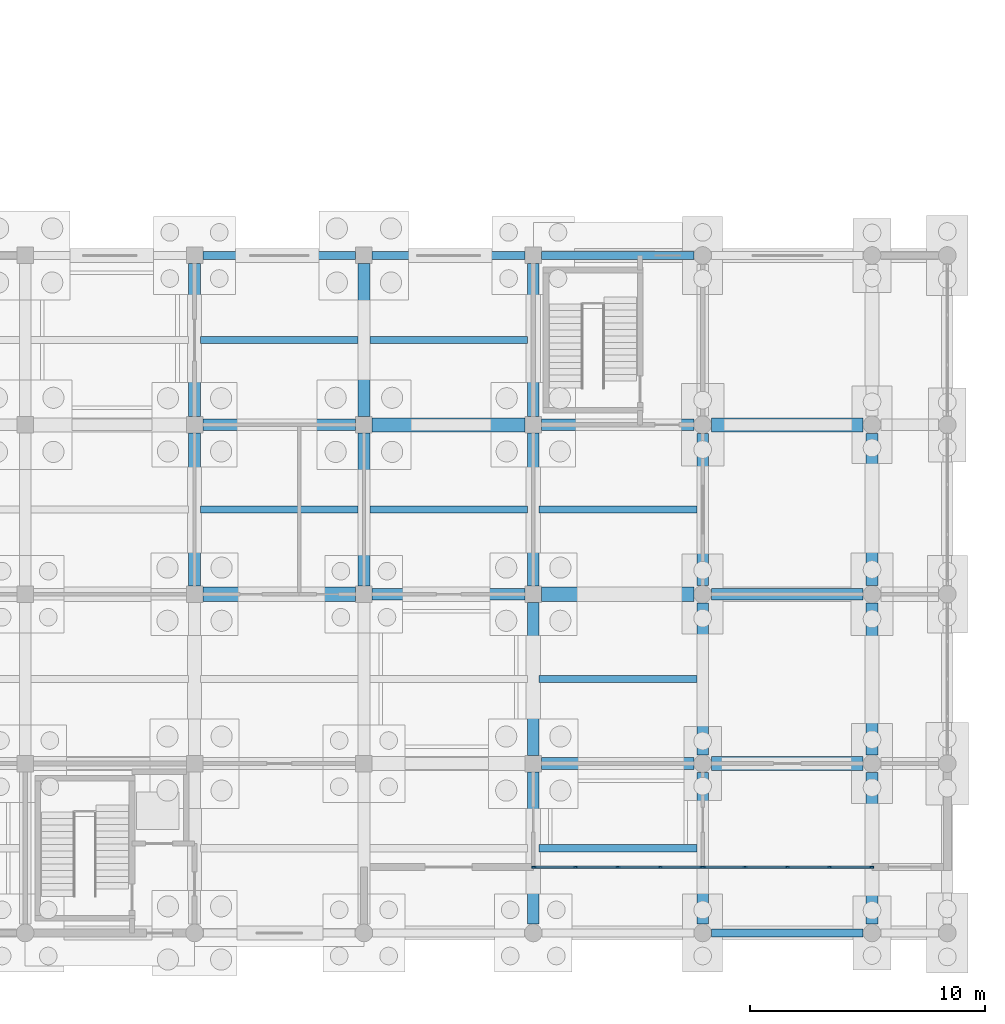
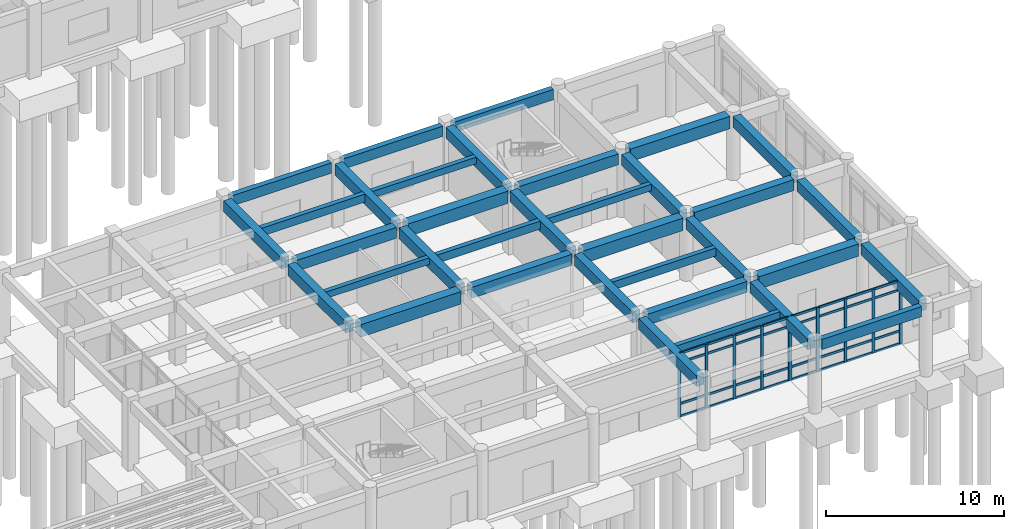
# One storey, part 35 of 79: 42 members, 35 beams, 2 elements without a shape of their own.
"""IFC4 building model written with IfcOpenShell, lengths in metres."""

from ifc_helpers import new_model, si_unit, direction, frame, origin, origin_2d, place, context, subcontext, project, spatial, rectangle, extrude, material, layer, layer_set, material_profile, profile_set, type_object, element, aggregate, save


model = new_model("IFC4")

# Units and contexts
model_context = context("Model", 3, precision=1e-05, world=origin(), true_north=direction((0.0, 1.0)))
body_context = subcontext(model_context, "Body", "Model", "MODEL_VIEW")
ifc_project = project(units=[si_unit("LENGTHUNIT", "METRE"), si_unit("AREAUNIT", "SQUARE_METRE"), si_unit("VOLUMEUNIT", "CUBIC_METRE"), si_unit("PLANEANGLEUNIT", "RADIAN"), si_unit("MASSUNIT", "GRAM", prefix="KILO")], contexts=[model_context])

# Site, building, storey
site_placement = place(None, origin())
site = spatial("IfcSite", under=ifc_project, at=site_placement, CompositionType="ELEMENT")
building_placement = place(site_placement, origin())
building = spatial("IfcBuilding", under=site, at=building_placement, Name="Kavelor Marine Aquarium", CompositionType="ELEMENT")
storey_placement = place(building_placement, origin())
storey = spatial("IfcBuildingStorey", under=building, at=storey_placement, Name="L00", CompositionType="ELEMENT", Elevation=0.0)

# Beams
ifc_material_1 = material(Name="Concrete C40/50", Category="concrete")
ifc_material_profile_1 = material_profile(ifc_material_1, rectangle(XDim=0.60009765625, YDim=0.85009765625, at=origin_2d()), Name="RC-BM 600x850")
ifc_profile_set_1 = profile_set([ifc_material_profile_1], Name="Concrete C40/50")
beam_type_1 = type_object("IfcBeamType", Name="BM-B1", PredefinedType="BEAM", material=ifc_profile_set_1)
for number, where, z_axis, x_axis, name in (
    (1, (133.14990234375, 17.199951171875, 3.955078125), (1.0, 0.0, 0.0), (0.0, 1.0, 0.0), "bm:x:L00:L01:18_02"),
    (2, (140.35009765625, 24.39990234375, 3.955078125), (1.0, 0.0, 0.0), (0.0, 1.0, 0.0), "bm:x:L00:L01:19_03"),
):
    element("IfcBeam", number, at=place(storey_placement, frame(where, z_axis=z_axis, x_axis=x_axis)), inside=storey, type_object=beam_type_1, Name=name, PredefinedType="BEAM", context=body_context, shape_type="SweptSolid", body=[
        extrude(rectangle(XDim=0.60009765625, YDim=0.85009765625, at=origin_2d()), origin(), (0.0, 0.0, 1.0), 6.5),
    ])
beam_1_placement = place(storey_placement, frame((147.550048828125, 17.199951171875, 3.955078125), z_axis=(1.0, 0.0, 0.0), x_axis=(0.0, 1.0, 0.0)))
element("IfcBeam", 3, at=beam_1_placement, inside=storey, type_object=beam_type_1, Name="bm:x:L00:L01:20_02", PredefinedType="BEAM", context=body_context, shape_type="SweptSolid", body=[
    extrude(rectangle(XDim=0.60009765625, YDim=0.85009765625, at=origin_2d()), origin(), (0.0, 0.0, 1.0), 6.474853515625),
])
for number, where, z_axis, x_axis, name in (
    (4, (154.77490234375, 10.0, 4.034912109375), (1.0, 0.0, 0.0), (0.0, 1.0, 0.0), "bm:x:L00:L01:21_01"),
    (5, (154.77490234375, 24.39990234375, 4.034912109375), (1.0, 0.0, 0.0), (0.0, 1.0, 0.0), "bm:x:L00:L01:21_03"),
):
    element("IfcBeam", number, at=place(storey_placement, frame(where, z_axis=z_axis, x_axis=x_axis)), inside=storey, type_object=beam_type_1, Name=name, PredefinedType="BEAM", context=body_context, shape_type="SweptSolid", body=[
        extrude(rectangle(XDim=0.60009765625, YDim=0.85009765625, at=origin_2d()), origin(), (0.0, 0.0, 1.0), 6.4501953125),
    ])
ifc_material_2 = material(Name="Concrete C40/50", Category="concrete")
ifc_material_profile_2 = material_profile(ifc_material_2, rectangle(XDim=0.5, YDim=0.75, at=origin_2d()), Name="RC-BM 500x750")
ifc_profile_set_2 = profile_set([ifc_material_profile_2], Name="Concrete C40/50")
beam_type_2 = type_object("IfcBeamType", Name="BM-B2", PredefinedType="BEAM", material=ifc_profile_set_2)
for number, where, z_axis, x_axis, name in (
    (6, (133.14990234375, 24.39990234375, 4.0048828125), (1.0, 0.0, 0.0), (0.0, 1.0, 0.0), "bm:x:L00:L01:18_03"),
    (7, (140.35009765625, 17.199951171875, 4.0048828125), (1.0, 0.0, 0.0), (0.0, 1.0, 0.0), "bm:x:L00:L01:19_02"),
):
    element("IfcBeam", number, at=place(storey_placement, frame(where, z_axis=z_axis, x_axis=x_axis)), inside=storey, type_object=beam_type_2, Name=name, PredefinedType="BEAM", context=body_context, shape_type="SweptSolid", body=[
        extrude(rectangle(XDim=0.5, YDim=0.75, at=origin_2d()), origin(), (0.0, 0.0, 1.0), 6.5),
    ])
for number, where, z_axis, x_axis, name in (
    (8, (147.550048828125, 10.0, 4.0048828125), (1.0, 0.0, 0.0), (0.0, 1.0, 0.0), "bm:x:L00:L01:20_01"),
    (9, (147.550048828125, 24.39990234375, 4.0048828125), (1.0, 0.0, 0.0), (0.0, 1.0, 0.0), "bm:x:L00:L01:20_03"),
):
    element("IfcBeam", number, at=place(storey_placement, frame(where, z_axis=z_axis, x_axis=x_axis)), inside=storey, type_object=beam_type_2, Name=name, PredefinedType="BEAM", context=body_context, shape_type="SweptSolid", body=[
        extrude(rectangle(XDim=0.5, YDim=0.75, at=origin_2d()), origin(), (0.0, 0.0, 1.0), 6.474853515625),
    ])
beam_2_placement = place(storey_placement, frame((154.77490234375, 17.199951171875, 4.0849609375), z_axis=(1.0, 0.0, 0.0), x_axis=(0.0, 1.0, 0.0)))
element("IfcBeam", 10, at=beam_2_placement, inside=storey, type_object=beam_type_2, Name="bm:x:L00:L01:21_02", PredefinedType="BEAM", context=body_context, shape_type="SweptSolid", body=[
    extrude(rectangle(XDim=0.5, YDim=0.75, at=origin_2d()), origin(), (0.0, 0.0, 1.0), 6.4501953125),
])
for number, where, z_axis, x_axis, name in (
    (11, (132.800048828125, 17.550048828125, 4.0048828125), (0.0, 1.0, 0.0), (-1.0, 0.0, 0.0), "bm:y:L00:L01:18_02"),
    (12, (132.800048828125, 24.75, 4.0048828125), (0.0, 1.0, 0.0), (-1.0, 0.0, 0.0), "bm:y:L00:L01:18_03"),
    (13, (140.0, 17.550048828125, 4.0048828125), (0.0, 1.0, 0.0), (-1.0, 0.0, 0.0), "bm:y:L00:L01:19_02"),
    (14, (140.0, 24.75, 4.0048828125), (0.0, 1.0, 0.0), (-1.0, 0.0, 0.0), "bm:y:L00:L01:19_03"),
):
    element("IfcBeam", number, at=place(storey_placement, frame(where, z_axis=z_axis, x_axis=x_axis)), inside=storey, type_object=beam_type_2, Name=name, PredefinedType="BEAM", context=body_context, shape_type="SweptSolid", body=[
        extrude(rectangle(XDim=0.5, YDim=0.75, at=origin_2d()), origin(), (0.0, 0.0, 1.0), 6.5),
    ])
beam_3_placement = place(storey_placement, frame((147.199951171875, 3.175048828125, 4.0048828125), z_axis=(0.0, 1.0, 0.0), x_axis=(-1.0, 0.0, 0.0)))
element("IfcBeam", 15, at=beam_3_placement, inside=storey, type_object=beam_type_2, Name="bm:y:L00:L01:20_00", PredefinedType="BEAM", context=body_context, shape_type="SweptSolid", body=[
    extrude(rectangle(XDim=0.5, YDim=0.75, at=origin_2d()), origin(), (0.0, 0.0, 1.0), 6.474853515625),
])
for number, where, z_axis, x_axis, name in (
    (16, (147.199951171875, 10.35009765625, 4.0048828125), (0.0, 1.0, 0.0), (-1.0, 0.0, 0.0), "bm:y:L00:L01:20_01"),
    (17, (147.199951171875, 17.550048828125, 4.0048828125), (0.0, 1.0, 0.0), (-1.0, 0.0, 0.0), "bm:y:L00:L01:20_02"),
    (18, (147.199951171875, 24.75, 4.0048828125), (0.0, 1.0, 0.0), (-1.0, 0.0, 0.0), "bm:y:L00:L01:20_03"),
):
    element("IfcBeam", number, at=place(storey_placement, frame(where, z_axis=z_axis, x_axis=x_axis)), inside=storey, type_object=beam_type_2, Name=name, PredefinedType="BEAM", context=body_context, shape_type="SweptSolid", body=[
        extrude(rectangle(XDim=0.5, YDim=0.75, at=origin_2d()), origin(), (0.0, 0.0, 1.0), 6.5),
    ])
for number, where, z_axis, x_axis, name in (
    (19, (154.39990234375, 3.175048828125, 4.0048828125), (0.0, 1.0, 0.0), (-1.0, 0.0, 0.0), "bm:y:L00:L01:21_00"),
    (20, (154.39990234375, 10.375, 4.0048828125), (0.0, 1.0, 0.0), (-1.0, 0.0, 0.0), "bm:y:L00:L01:21_01"),
    (21, (154.39990234375, 17.574951171875, 4.0048828125), (0.0, 1.0, 0.0), (-1.0, 0.0, 0.0), "bm:y:L00:L01:21_02"),
    (22, (161.60009765625, 3.175048828125, 4.0849609375), (0.0, 1.0, 0.0), (-1.0, 0.0, 0.0), "bm:y:L00:L01:22_00"),
    (23, (161.60009765625, 10.375, 4.0849609375), (0.0, 1.0, 0.0), (-1.0, 0.0, 0.0), "bm:y:L00:L01:22_01"),
    (24, (161.60009765625, 17.574951171875, 4.0849609375), (0.0, 1.0, 0.0), (-1.0, 0.0, 0.0), "bm:y:L00:L01:22_02"),
):
    element("IfcBeam", number, at=place(storey_placement, frame(where, z_axis=z_axis, x_axis=x_axis)), inside=storey, type_object=beam_type_2, Name=name, PredefinedType="BEAM", context=body_context, shape_type="SweptSolid", body=[
        extrude(rectangle(XDim=0.5, YDim=0.75, at=origin_2d()), origin(), (0.0, 0.0, 1.0), 6.449951171875),
    ])
ifc_material_3 = material(Name="Concrete C40/50", Category="concrete")
ifc_material_profile_3 = material_profile(ifc_material_3, rectangle(XDim=0.300048828125, YDim=0.449951171875, at=origin_2d()), Name="RC-JS 300x450")
ifc_profile_set_3 = profile_set([ifc_material_profile_3], Name="Concrete C40/50")
beam_type_3 = type_object("IfcBeamType", Name="BM-JS1", PredefinedType="JOIST", material=ifc_profile_set_3)
for number, where, z_axis, x_axis, name in (
    (25, (133.050048828125, 20.800048828125, 4.155029296875), (1.0, 0.0, 0.0), (0.0, 1.0, 0.0), "js:L00:L01:18_02"),
    (26, (140.25, 28.0, 4.155029296875), (1.0, 0.0, 0.0), (0.0, 1.0, 0.0), "js:L00:L01:19_03"),
    (27, (147.449951171875, 6.39990234375, 4.155029296875), (1.0, 0.0, 0.0), (0.0, 1.0, 0.0), "js:L00:L01:20_00"),
    (28, (147.449951171875, 20.800048828125, 4.155029296875), (1.0, 0.0, 0.0), (0.0, 1.0, 0.0), "js:L00:L01:20_02"),
):
    element("IfcBeam", number, at=place(storey_placement, frame(where, z_axis=z_axis, x_axis=x_axis)), inside=storey, type_object=beam_type_3, Name=name, PredefinedType="JOIST", context=body_context, shape_type="SweptSolid", body=[
        extrude(rectangle(XDim=0.300048828125, YDim=0.449951171875, at=origin_2d()), origin(), (0.0, 0.0, 1.0), 6.699951171875),
    ])
ifc_material_4 = material(Name="Concrete C40/50", Category="concrete")
ifc_material_profile_4 = material_profile(ifc_material_4, rectangle(XDim=0.300048828125, YDim=0.550048828125, at=origin_2d()), Name="RC-JS 300x550")
ifc_profile_set_4 = profile_set([ifc_material_profile_4], Name="Concrete C40/50")
beam_type_4 = type_object("IfcBeamType", Name="BM-JS2", PredefinedType="JOIST", material=ifc_profile_set_4)
for number, where, z_axis, x_axis, name in (
    (29, (133.050048828125, 28.0, 4.10498046875), (1.0, 0.0, 0.0), (0.0, 1.0, 0.0), "js:L00:L01:18_03"),
    (30, (140.25, 20.800048828125, 4.10498046875), (1.0, 0.0, 0.0), (0.0, 1.0, 0.0), "js:L00:L01:19_02"),
    (31, (147.449951171875, 13.60009765625, 4.10498046875), (1.0, 0.0, 0.0), (0.0, 1.0, 0.0), "js:L00:L01:20_01"),
):
    element("IfcBeam", number, at=place(storey_placement, frame(where, z_axis=z_axis, x_axis=x_axis)), inside=storey, type_object=beam_type_4, Name=name, PredefinedType="JOIST", context=body_context, shape_type="SweptSolid", body=[
        extrude(rectangle(XDim=0.300048828125, YDim=0.550048828125, at=origin_2d()), origin(), (0.0, 0.0, 1.0), 6.699951171875),
    ])
ifc_material_5 = material(Name="Concrete C40/50", Category="concrete")
ifc_material_profile_5 = material_profile(ifc_material_5, rectangle(XDim=0.35009765625, YDim=0.699951171875, at=origin_2d()), Name="RC-SP 350x700")
ifc_profile_set_5 = profile_set([ifc_material_profile_5], Name="Concrete C40/50")
beam_type_5 = type_object("IfcBeamType", Name="BM-SP1", PredefinedType="SPANDREL", material=ifc_profile_set_5)
for number, where, z_axis, x_axis, name in (
    (32, (133.14990234375, 31.60009765625, 4.030029296875), (1.0, 0.0, 0.0), (0.0, 1.0, 0.0), "bm:x:L00:L01:18_04"),
    (33, (140.35009765625, 31.60009765625, 4.030029296875), (1.0, 0.0, 0.0), (0.0, 1.0, 0.0), "bm:x:L00:L01:19_04"),
):
    element("IfcBeam", number, at=place(storey_placement, frame(where, z_axis=z_axis, x_axis=x_axis)), inside=storey, type_object=beam_type_5, Name=name, PredefinedType="SPANDREL", context=body_context, shape_type="SweptSolid", body=[
        extrude(rectangle(XDim=0.35009765625, YDim=0.699951171875, at=origin_2d()), origin(), (0.0, 0.0, 1.0), 6.5),
    ])
beam_4_placement = place(storey_placement, frame((147.550048828125, 31.60009765625, 4.030029296875), z_axis=(1.0, 0.0, 0.0), x_axis=(0.0, 1.0, 0.0)))
element("IfcBeam", 34, at=beam_4_placement, inside=storey, type_object=beam_type_5, Name="bm:x:L00:L01:20_04", PredefinedType="SPANDREL", context=body_context, shape_type="SweptSolid", body=[
    extrude(rectangle(XDim=0.35009765625, YDim=0.699951171875, at=origin_2d()), origin(), (0.0, 0.0, 1.0), 6.474853515625),
])
beam_5_placement = place(storey_placement, frame((154.77490234375, 2.800048828125, 4.110107421875), z_axis=(1.0, 0.0, 0.0), x_axis=(0.0, 1.0, 0.0)))
element("IfcBeam", 35, at=beam_5_placement, inside=storey, type_object=beam_type_5, Name="bm:x:L00:L01:21_00", PredefinedType="SPANDREL", context=body_context, shape_type="SweptSolid", body=[
    extrude(rectangle(XDim=0.35009765625, YDim=0.699951171875, at=origin_2d()), origin(), (0.0, 0.0, 1.0), 6.4501953125),
])

# Curtain wall, members
ifc_material_6 = material(Name="Thermally Broken Aluminium and Low-E Glass", Category="aluminium")
ifc_layer_1 = layer(ifc_material_6, 0.251953125)
ifc_layer_set_1 = layer_set([ifc_layer_1], Name="CW-SYS14")
curtain_wall_type_1 = type_object("IfcCurtainWallType", Name="CW-SYS14", PredefinedType="USERDEFINED", material=ifc_layer_set_1)
curtain_wall_1_placement = place(storey_placement, origin())
curtain_wall_1 = element("IfcCurtainWall", 36, at=curtain_wall_1_placement, inside=storey, type_object=curtain_wall_type_1, Name="cw:arc:v3s:20", ObjectType="Curtain Wall", PredefinedType="USERDEFINED")
ifc_material_7 = material(Name="Anodised Aluminium Alloy 6063-T6", Category="aluminium")
ifc_material_profile_6 = material_profile(ifc_material_7, rectangle(XDim=0.080078125, YDim=0.18505859375, at=origin_2d()), Name="CW-MUL 80x185")
ifc_profile_set_6 = profile_set([ifc_material_profile_6], Name="Anodised Aluminium Alloy 6063-T6")
member_type_1 = type_object("IfcMemberType", Name="CWM-2", PredefinedType="MULLION", material=ifc_profile_set_6)
member_1_placement = place(storey_placement, frame((154.367431640625, 5.60009765625, 0.0), z_axis=(0.0, 0.0, 1.0), x_axis=(0.0, -1.0, 0.0)))
member_1 = element("IfcMember", 37, at=member_1_placement, type_object=member_type_1, Name="CW14 mullion 1", PredefinedType="MULLION", context=body_context, shape_type="SweptSolid", body=[
    extrude(rectangle(XDim=0.080078125, YDim=0.18505859375, at=origin_2d()), origin(), (0.0, 0.0, 1.0), 4.3701171875),
])
member_2_placement = place(storey_placement, frame((152.60009765625, 5.60009765625, 0.0), z_axis=(0.0, 0.0, 1.0), x_axis=(0.0, -1.0, 0.0)))
member_2 = element("IfcMember", 38, at=member_2_placement, type_object=member_type_1, Name="CW14 mullion 2", PredefinedType="MULLION", context=body_context, shape_type="SweptSolid", body=[
    extrude(rectangle(XDim=0.080078125, YDim=0.18505859375, at=origin_2d()), origin(), (0.0, 0.0, 1.0), 4.3701171875),
])
member_3_placement = place(storey_placement, frame((150.800048828125, 5.60009765625, 0.0), z_axis=(0.0, 0.0, 1.0), x_axis=(0.0, -1.0, 0.0)))
member_3 = element("IfcMember", 39, at=member_3_placement, type_object=member_type_1, Name="CW14 mullion 3", PredefinedType="MULLION", context=body_context, shape_type="SweptSolid", body=[
    extrude(rectangle(XDim=0.080078125, YDim=0.18505859375, at=origin_2d()), origin(), (0.0, 0.0, 1.0), 4.3701171875),
])
member_4_placement = place(storey_placement, frame((149.0, 5.60009765625, 0.0), z_axis=(0.0, 0.0, 1.0), x_axis=(0.0, -1.0, 0.0)))
member_4 = element("IfcMember", 40, at=member_4_placement, type_object=member_type_1, Name="CW14 mullion 4", PredefinedType="MULLION", context=body_context, shape_type="SweptSolid", body=[
    extrude(rectangle(XDim=0.080078125, YDim=0.18505859375, at=origin_2d()), origin(), (0.0, 0.0, 1.0), 4.3701171875),
])
member_5_placement = place(storey_placement, frame((147.232421875, 5.60009765625, 0.0), z_axis=(0.0, 0.0, 1.0), x_axis=(0.0, -1.0, 0.0)))
member_5 = element("IfcMember", 41, at=member_5_placement, type_object=member_type_1, Name="CW14 mullion 5", PredefinedType="MULLION", context=body_context, shape_type="SweptSolid", body=[
    extrude(rectangle(XDim=0.080078125, YDim=0.18505859375, at=origin_2d()), origin(), (0.0, 0.0, 1.0), 4.3701171875),
])

ifc_material_8 = material(Name="Thermally Broken Aluminium and Low-E Glass", Category="aluminium")
ifc_layer_2 = layer(ifc_material_8, 0.260009765625)
ifc_layer_set_2 = layer_set([ifc_layer_2], Name="CW-SYS15")
curtain_wall_type_2 = type_object("IfcCurtainWallType", Name="CW-SYS15", PredefinedType="USERDEFINED", material=ifc_layer_set_2)
curtain_wall_2_placement = place(storey_placement, origin())
curtain_wall_2 = element("IfcCurtainWall", 42, at=curtain_wall_2_placement, inside=storey, type_object=curtain_wall_type_2, Name="cw:arc:v3s:21", ObjectType="Curtain Wall", PredefinedType="USERDEFINED")
ifc_material_9 = material(Name="Anodised Aluminium Alloy 6063-T6", Category="aluminium")
ifc_material_profile_7 = material_profile(ifc_material_9, rectangle(XDim=0.0849609375, YDim=0.18994140625, at=origin_2d()), Name="CW-MUL 85x190")
ifc_profile_set_7 = profile_set([ifc_material_profile_7], Name="Anodised Aluminium Alloy 6063-T6")
member_type_2 = type_object("IfcMemberType", Name="CWM-3", PredefinedType="MULLION", material=ifc_profile_set_7)
member_6_placement = place(storey_placement, frame((161.570068359375, 5.60009765625, 0.0), z_axis=(0.0, 0.0, 1.0), x_axis=(0.0, -1.0, 0.0)))
member_6 = element("IfcMember", 43, at=member_6_placement, type_object=member_type_2, Name="CW15 mullion 1", PredefinedType="MULLION", context=body_context, shape_type="SweptSolid", body=[
    extrude(rectangle(XDim=0.0849609375, YDim=0.18994140625, at=origin_2d()), origin(), (0.0, 0.0, 1.0), 4.3701171875),
])
member_7_placement = place(storey_placement, frame((159.800048828125, 5.60009765625, 0.0), z_axis=(0.0, 0.0, 1.0), x_axis=(0.0, -1.0, 0.0)))
member_7 = element("IfcMember", 44, at=member_7_placement, type_object=member_type_2, Name="CW15 mullion 2", PredefinedType="MULLION", context=body_context, shape_type="SweptSolid", body=[
    extrude(rectangle(XDim=0.0849609375, YDim=0.18994140625, at=origin_2d()), origin(), (0.0, 0.0, 1.0), 4.3701171875),
])
member_8_placement = place(storey_placement, frame((158.0, 5.60009765625, 0.0), z_axis=(0.0, 0.0, 1.0), x_axis=(0.0, -1.0, 0.0)))
member_8 = element("IfcMember", 45, at=member_8_placement, type_object=member_type_2, Name="CW15 mullion 3", PredefinedType="MULLION", context=body_context, shape_type="SweptSolid", body=[
    extrude(rectangle(XDim=0.0849609375, YDim=0.18994140625, at=origin_2d()), origin(), (0.0, 0.0, 1.0), 4.3701171875),
])
member_9_placement = place(storey_placement, frame((156.199951171875, 5.60009765625, 0.0), z_axis=(0.0, 0.0, 1.0), x_axis=(0.0, -1.0, 0.0)))
member_9 = element("IfcMember", 46, at=member_9_placement, type_object=member_type_2, Name="CW15 mullion 4", PredefinedType="MULLION", context=body_context, shape_type="SweptSolid", body=[
    extrude(rectangle(XDim=0.0849609375, YDim=0.18994140625, at=origin_2d()), origin(), (0.0, 0.0, 1.0), 4.3701171875),
])
member_10_placement = place(storey_placement, frame((154.429931640625, 5.60009765625, 0.0), z_axis=(0.0, 0.0, 1.0), x_axis=(0.0, -1.0, 0.0)))
member_10 = element("IfcMember", 47, at=member_10_placement, type_object=member_type_2, Name="CW15 mullion 5", PredefinedType="MULLION", context=body_context, shape_type="SweptSolid", body=[
    extrude(rectangle(XDim=0.0849609375, YDim=0.18994140625, at=origin_2d()), origin(), (0.0, 0.0, 1.0), 4.3701171875),
])

# Member
ifc_material_10 = material(Name="Anodised Aluminium Alloy 6063-T6", Category="aluminium")
ifc_material_profile_8 = material_profile(ifc_material_10, rectangle(XDim=0.080078125, YDim=0.155029296875, at=origin_2d()), Name="CW-TRN 80x155")
ifc_profile_set_8 = profile_set([ifc_material_profile_8], Name="Anodised Aluminium Alloy 6063-T6")
member_type_3 = type_object("IfcMemberType", Name="CWT-2", PredefinedType="USERDEFINED", material=ifc_profile_set_8)
member_11_placement = place(storey_placement, frame((154.3349609375, 5.60009765625, 0.032470703125), z_axis=(-1.0, 0.0, 0.0), x_axis=(0.0, -1.0, 0.0)))
member_11 = element("IfcMember", 48, at=member_11_placement, type_object=member_type_3, Name="CW14 transom 1.1", ObjectType="TRANSOM", PredefinedType="USERDEFINED", context=body_context, shape_type="SweptSolid", body=[
    extrude(rectangle(XDim=0.080078125, YDim=0.155029296875, at=origin_2d()), origin(), (0.0, 0.0, 1.0), 1.702392578125),
])

member_12_placement = place(storey_placement, frame((154.3349609375, 5.60009765625, 0.89990234375), z_axis=(-1.0, 0.0, 0.0), x_axis=(0.0, -1.0, 0.0)))
member_12 = element("IfcMember", 49, at=member_12_placement, type_object=member_type_3, Name="CW14 transom 1.2", ObjectType="TRANSOM", PredefinedType="USERDEFINED", context=body_context, shape_type="SweptSolid", body=[
    extrude(rectangle(XDim=0.080078125, YDim=0.155029296875, at=origin_2d()), origin(), (0.0, 0.0, 1.0), 1.702392578125),
])

member_13_placement = place(storey_placement, frame((154.3349609375, 5.60009765625, 3.719970703125), z_axis=(-1.0, 0.0, 0.0), x_axis=(0.0, -1.0, 0.0)))
member_13 = element("IfcMember", 50, at=member_13_placement, type_object=member_type_3, Name="CW14 transom 1.3", ObjectType="TRANSOM", PredefinedType="USERDEFINED", context=body_context, shape_type="SweptSolid", body=[
    extrude(rectangle(XDim=0.080078125, YDim=0.155029296875, at=origin_2d()), origin(), (0.0, 0.0, 1.0), 1.702392578125),
])

member_14_placement = place(storey_placement, frame((154.3349609375, 5.60009765625, 4.33740234375), z_axis=(-1.0, 0.0, 0.0), x_axis=(0.0, -1.0, 0.0)))
member_14 = element("IfcMember", 51, at=member_14_placement, type_object=member_type_3, Name="CW14 transom 1.4", ObjectType="TRANSOM", PredefinedType="USERDEFINED", context=body_context, shape_type="SweptSolid", body=[
    extrude(rectangle(XDim=0.080078125, YDim=0.155029296875, at=origin_2d()), origin(), (0.0, 0.0, 1.0), 1.702392578125),
])

member_15_placement = place(storey_placement, frame((152.5673828125, 5.60009765625, 0.032470703125), z_axis=(-1.0, 0.0, 0.0), x_axis=(0.0, -1.0, 0.0)))
member_15 = element("IfcMember", 52, at=member_15_placement, type_object=member_type_3, Name="CW14 transom 2.1", ObjectType="TRANSOM", PredefinedType="USERDEFINED", context=body_context, shape_type="SweptSolid", body=[
    extrude(rectangle(XDim=0.080078125, YDim=0.155029296875, at=origin_2d()), origin(), (0.0, 0.0, 1.0), 1.73486328125),
])

member_16_placement = place(storey_placement, frame((152.5673828125, 5.60009765625, 0.89990234375), z_axis=(-1.0, 0.0, 0.0), x_axis=(0.0, -1.0, 0.0)))
member_16 = element("IfcMember", 53, at=member_16_placement, type_object=member_type_3, Name="CW14 transom 2.2", ObjectType="TRANSOM", PredefinedType="USERDEFINED", context=body_context, shape_type="SweptSolid", body=[
    extrude(rectangle(XDim=0.080078125, YDim=0.155029296875, at=origin_2d()), origin(), (0.0, 0.0, 1.0), 1.73486328125),
])

member_17_placement = place(storey_placement, frame((152.5673828125, 5.60009765625, 3.719970703125), z_axis=(-1.0, 0.0, 0.0), x_axis=(0.0, -1.0, 0.0)))
member_17 = element("IfcMember", 54, at=member_17_placement, type_object=member_type_3, Name="CW14 transom 2.3", ObjectType="TRANSOM", PredefinedType="USERDEFINED", context=body_context, shape_type="SweptSolid", body=[
    extrude(rectangle(XDim=0.080078125, YDim=0.155029296875, at=origin_2d()), origin(), (0.0, 0.0, 1.0), 1.73486328125),
])

member_18_placement = place(storey_placement, frame((152.5673828125, 5.60009765625, 4.33740234375), z_axis=(-1.0, 0.0, 0.0), x_axis=(0.0, -1.0, 0.0)))
member_18 = element("IfcMember", 55, at=member_18_placement, type_object=member_type_3, Name="CW14 transom 2.4", ObjectType="TRANSOM", PredefinedType="USERDEFINED", context=body_context, shape_type="SweptSolid", body=[
    extrude(rectangle(XDim=0.080078125, YDim=0.155029296875, at=origin_2d()), origin(), (0.0, 0.0, 1.0), 1.73486328125),
])

member_19_placement = place(storey_placement, frame((150.767578125, 5.60009765625, 0.032470703125), z_axis=(-1.0, 0.0, 0.0), x_axis=(0.0, -1.0, 0.0)))
member_19 = element("IfcMember", 56, at=member_19_placement, type_object=member_type_3, Name="CW14 transom 3.1", ObjectType="TRANSOM", PredefinedType="USERDEFINED", context=body_context, shape_type="SweptSolid", body=[
    extrude(rectangle(XDim=0.080078125, YDim=0.155029296875, at=origin_2d()), origin(), (0.0, 0.0, 1.0), 1.735107421875),
])

member_20_placement = place(storey_placement, frame((150.767578125, 5.60009765625, 0.89990234375), z_axis=(-1.0, 0.0, 0.0), x_axis=(0.0, -1.0, 0.0)))
member_20 = element("IfcMember", 57, at=member_20_placement, type_object=member_type_3, Name="CW14 transom 3.2", ObjectType="TRANSOM", PredefinedType="USERDEFINED", context=body_context, shape_type="SweptSolid", body=[
    extrude(rectangle(XDim=0.080078125, YDim=0.155029296875, at=origin_2d()), origin(), (0.0, 0.0, 1.0), 1.735107421875),
])

member_21_placement = place(storey_placement, frame((150.767578125, 5.60009765625, 3.719970703125), z_axis=(-1.0, 0.0, 0.0), x_axis=(0.0, -1.0, 0.0)))
member_21 = element("IfcMember", 58, at=member_21_placement, type_object=member_type_3, Name="CW14 transom 3.3", ObjectType="TRANSOM", PredefinedType="USERDEFINED", context=body_context, shape_type="SweptSolid", body=[
    extrude(rectangle(XDim=0.080078125, YDim=0.155029296875, at=origin_2d()), origin(), (0.0, 0.0, 1.0), 1.735107421875),
])

member_22_placement = place(storey_placement, frame((150.767578125, 5.60009765625, 4.33740234375), z_axis=(-1.0, 0.0, 0.0), x_axis=(0.0, -1.0, 0.0)))
member_22 = element("IfcMember", 59, at=member_22_placement, type_object=member_type_3, Name="CW14 transom 3.4", ObjectType="TRANSOM", PredefinedType="USERDEFINED", context=body_context, shape_type="SweptSolid", body=[
    extrude(rectangle(XDim=0.080078125, YDim=0.155029296875, at=origin_2d()), origin(), (0.0, 0.0, 1.0), 1.735107421875),
])

member_23_placement = place(storey_placement, frame((148.967529296875, 5.60009765625, 0.032470703125), z_axis=(-1.0, 0.0, 0.0), x_axis=(0.0, -1.0, 0.0)))
member_23 = element("IfcMember", 60, at=member_23_placement, type_object=member_type_3, Name="CW14 transom 4.1", ObjectType="TRANSOM", PredefinedType="USERDEFINED", context=body_context, shape_type="SweptSolid", body=[
    extrude(rectangle(XDim=0.080078125, YDim=0.155029296875, at=origin_2d()), origin(), (0.0, 0.0, 1.0), 1.70263671875),
])

member_24_placement = place(storey_placement, frame((148.967529296875, 5.60009765625, 0.89990234375), z_axis=(-1.0, 0.0, 0.0), x_axis=(0.0, -1.0, 0.0)))
member_24 = element("IfcMember", 61, at=member_24_placement, type_object=member_type_3, Name="CW14 transom 4.2", ObjectType="TRANSOM", PredefinedType="USERDEFINED", context=body_context, shape_type="SweptSolid", body=[
    extrude(rectangle(XDim=0.080078125, YDim=0.155029296875, at=origin_2d()), origin(), (0.0, 0.0, 1.0), 1.70263671875),
])

member_25_placement = place(storey_placement, frame((148.967529296875, 5.60009765625, 3.719970703125), z_axis=(-1.0, 0.0, 0.0), x_axis=(0.0, -1.0, 0.0)))
member_25 = element("IfcMember", 62, at=member_25_placement, type_object=member_type_3, Name="CW14 transom 4.3", ObjectType="TRANSOM", PredefinedType="USERDEFINED", context=body_context, shape_type="SweptSolid", body=[
    extrude(rectangle(XDim=0.080078125, YDim=0.155029296875, at=origin_2d()), origin(), (0.0, 0.0, 1.0), 1.70263671875),
])

member_26_placement = place(storey_placement, frame((148.967529296875, 5.60009765625, 4.33740234375), z_axis=(-1.0, 0.0, 0.0), x_axis=(0.0, -1.0, 0.0)))
member_26 = element("IfcMember", 63, at=member_26_placement, type_object=member_type_3, Name="CW14 transom 4.4", ObjectType="TRANSOM", PredefinedType="USERDEFINED", context=body_context, shape_type="SweptSolid", body=[
    extrude(rectangle(XDim=0.080078125, YDim=0.155029296875, at=origin_2d()), origin(), (0.0, 0.0, 1.0), 1.70263671875),
])

aggregate(curtain_wall_1, [member_1, member_2, member_3, member_4, member_5, member_11, member_12, member_13, member_14, member_15, member_16, member_17, member_18, member_19, member_20, member_21, member_22, member_23, member_24, member_25, member_26])

member_27_placement = place(storey_placement, frame((161.5400390625, 5.60009765625, 0.032470703125), z_axis=(-1.0, 0.0, 0.0), x_axis=(0.0, -1.0, 0.0)))
member_27 = element("IfcMember", 64, at=member_27_placement, type_object=member_type_3, Name="CW15 transom 1.1", ObjectType="TRANSOM", PredefinedType="USERDEFINED", context=body_context, shape_type="SweptSolid", body=[
    extrude(rectangle(XDim=0.080078125, YDim=0.155029296875, at=origin_2d()), origin(), (0.0, 0.0, 1.0), 1.7099609375),
])

member_28_placement = place(storey_placement, frame((161.5400390625, 5.60009765625, 0.89990234375), z_axis=(-1.0, 0.0, 0.0), x_axis=(0.0, -1.0, 0.0)))
member_28 = element("IfcMember", 65, at=member_28_placement, type_object=member_type_3, Name="CW15 transom 1.2", ObjectType="TRANSOM", PredefinedType="USERDEFINED", context=body_context, shape_type="SweptSolid", body=[
    extrude(rectangle(XDim=0.080078125, YDim=0.155029296875, at=origin_2d()), origin(), (0.0, 0.0, 1.0), 1.7099609375),
])

member_29_placement = place(storey_placement, frame((161.5400390625, 5.60009765625, 3.719970703125), z_axis=(-1.0, 0.0, 0.0), x_axis=(0.0, -1.0, 0.0)))
member_29 = element("IfcMember", 66, at=member_29_placement, type_object=member_type_3, Name="CW15 transom 1.3", ObjectType="TRANSOM", PredefinedType="USERDEFINED", context=body_context, shape_type="SweptSolid", body=[
    extrude(rectangle(XDim=0.080078125, YDim=0.155029296875, at=origin_2d()), origin(), (0.0, 0.0, 1.0), 1.7099609375),
])

member_30_placement = place(storey_placement, frame((161.5400390625, 5.60009765625, 4.33740234375), z_axis=(-1.0, 0.0, 0.0), x_axis=(0.0, -1.0, 0.0)))
member_30 = element("IfcMember", 67, at=member_30_placement, type_object=member_type_3, Name="CW15 transom 1.4", ObjectType="TRANSOM", PredefinedType="USERDEFINED", context=body_context, shape_type="SweptSolid", body=[
    extrude(rectangle(XDim=0.080078125, YDim=0.155029296875, at=origin_2d()), origin(), (0.0, 0.0, 1.0), 1.7099609375),
])

member_31_placement = place(storey_placement, frame((159.77001953125, 5.60009765625, 0.032470703125), z_axis=(-1.0, 0.0, 0.0), x_axis=(0.0, -1.0, 0.0)))
member_31 = element("IfcMember", 68, at=member_31_placement, type_object=member_type_3, Name="CW15 transom 2.1", ObjectType="TRANSOM", PredefinedType="USERDEFINED", context=body_context, shape_type="SweptSolid", body=[
    extrude(rectangle(XDim=0.080078125, YDim=0.155029296875, at=origin_2d()), origin(), (0.0, 0.0, 1.0), 1.739990234375),
])

member_32_placement = place(storey_placement, frame((159.77001953125, 5.60009765625, 0.89990234375), z_axis=(-1.0, 0.0, 0.0), x_axis=(0.0, -1.0, 0.0)))
member_32 = element("IfcMember", 69, at=member_32_placement, type_object=member_type_3, Name="CW15 transom 2.2", ObjectType="TRANSOM", PredefinedType="USERDEFINED", context=body_context, shape_type="SweptSolid", body=[
    extrude(rectangle(XDim=0.080078125, YDim=0.155029296875, at=origin_2d()), origin(), (0.0, 0.0, 1.0), 1.739990234375),
])

member_33_placement = place(storey_placement, frame((159.77001953125, 5.60009765625, 3.719970703125), z_axis=(-1.0, 0.0, 0.0), x_axis=(0.0, -1.0, 0.0)))
member_33 = element("IfcMember", 70, at=member_33_placement, type_object=member_type_3, Name="CW15 transom 2.3", ObjectType="TRANSOM", PredefinedType="USERDEFINED", context=body_context, shape_type="SweptSolid", body=[
    extrude(rectangle(XDim=0.080078125, YDim=0.155029296875, at=origin_2d()), origin(), (0.0, 0.0, 1.0), 1.739990234375),
])

member_34_placement = place(storey_placement, frame((159.77001953125, 5.60009765625, 4.33740234375), z_axis=(-1.0, 0.0, 0.0), x_axis=(0.0, -1.0, 0.0)))
member_34 = element("IfcMember", 71, at=member_34_placement, type_object=member_type_3, Name="CW15 transom 2.4", ObjectType="TRANSOM", PredefinedType="USERDEFINED", context=body_context, shape_type="SweptSolid", body=[
    extrude(rectangle(XDim=0.080078125, YDim=0.155029296875, at=origin_2d()), origin(), (0.0, 0.0, 1.0), 1.739990234375),
])

member_35_placement = place(storey_placement, frame((157.969970703125, 5.60009765625, 0.032470703125), z_axis=(-1.0, 0.0, 0.0), x_axis=(0.0, -1.0, 0.0)))
member_35 = element("IfcMember", 72, at=member_35_placement, type_object=member_type_3, Name="CW15 transom 3.1", ObjectType="TRANSOM", PredefinedType="USERDEFINED", context=body_context, shape_type="SweptSolid", body=[
    extrude(rectangle(XDim=0.080078125, YDim=0.155029296875, at=origin_2d()), origin(), (0.0, 0.0, 1.0), 1.739990234375),
])

member_36_placement = place(storey_placement, frame((157.969970703125, 5.60009765625, 0.89990234375), z_axis=(-1.0, 0.0, 0.0), x_axis=(0.0, -1.0, 0.0)))
member_36 = element("IfcMember", 73, at=member_36_placement, type_object=member_type_3, Name="CW15 transom 3.2", ObjectType="TRANSOM", PredefinedType="USERDEFINED", context=body_context, shape_type="SweptSolid", body=[
    extrude(rectangle(XDim=0.080078125, YDim=0.155029296875, at=origin_2d()), origin(), (0.0, 0.0, 1.0), 1.739990234375),
])

member_37_placement = place(storey_placement, frame((157.969970703125, 5.60009765625, 3.719970703125), z_axis=(-1.0, 0.0, 0.0), x_axis=(0.0, -1.0, 0.0)))
member_37 = element("IfcMember", 74, at=member_37_placement, type_object=member_type_3, Name="CW15 transom 3.3", ObjectType="TRANSOM", PredefinedType="USERDEFINED", context=body_context, shape_type="SweptSolid", body=[
    extrude(rectangle(XDim=0.080078125, YDim=0.155029296875, at=origin_2d()), origin(), (0.0, 0.0, 1.0), 1.739990234375),
])

member_38_placement = place(storey_placement, frame((157.969970703125, 5.60009765625, 4.33740234375), z_axis=(-1.0, 0.0, 0.0), x_axis=(0.0, -1.0, 0.0)))
member_38 = element("IfcMember", 75, at=member_38_placement, type_object=member_type_3, Name="CW15 transom 3.4", ObjectType="TRANSOM", PredefinedType="USERDEFINED", context=body_context, shape_type="SweptSolid", body=[
    extrude(rectangle(XDim=0.080078125, YDim=0.155029296875, at=origin_2d()), origin(), (0.0, 0.0, 1.0), 1.739990234375),
])

member_39_placement = place(storey_placement, frame((156.169921875, 5.60009765625, 0.032470703125), z_axis=(-1.0, 0.0, 0.0), x_axis=(0.0, -1.0, 0.0)))
member_39 = element("IfcMember", 76, at=member_39_placement, type_object=member_type_3, Name="CW15 transom 4.1", ObjectType="TRANSOM", PredefinedType="USERDEFINED", context=body_context, shape_type="SweptSolid", body=[
    extrude(rectangle(XDim=0.080078125, YDim=0.155029296875, at=origin_2d()), origin(), (0.0, 0.0, 1.0), 1.7099609375),
])

member_40_placement = place(storey_placement, frame((156.169921875, 5.60009765625, 0.89990234375), z_axis=(-1.0, 0.0, 0.0), x_axis=(0.0, -1.0, 0.0)))
member_40 = element("IfcMember", 77, at=member_40_placement, type_object=member_type_3, Name="CW15 transom 4.2", ObjectType="TRANSOM", PredefinedType="USERDEFINED", context=body_context, shape_type="SweptSolid", body=[
    extrude(rectangle(XDim=0.080078125, YDim=0.155029296875, at=origin_2d()), origin(), (0.0, 0.0, 1.0), 1.7099609375),
])

member_41_placement = place(storey_placement, frame((156.169921875, 5.60009765625, 3.719970703125), z_axis=(-1.0, 0.0, 0.0), x_axis=(0.0, -1.0, 0.0)))
member_41 = element("IfcMember", 78, at=member_41_placement, type_object=member_type_3, Name="CW15 transom 4.3", ObjectType="TRANSOM", PredefinedType="USERDEFINED", context=body_context, shape_type="SweptSolid", body=[
    extrude(rectangle(XDim=0.080078125, YDim=0.155029296875, at=origin_2d()), origin(), (0.0, 0.0, 1.0), 1.7099609375),
])

member_42_placement = place(storey_placement, frame((156.169921875, 5.60009765625, 4.33740234375), z_axis=(-1.0, 0.0, 0.0), x_axis=(0.0, -1.0, 0.0)))
member_42 = element("IfcMember", 79, at=member_42_placement, type_object=member_type_3, Name="CW15 transom 4.4", ObjectType="TRANSOM", PredefinedType="USERDEFINED", context=body_context, shape_type="SweptSolid", body=[
    extrude(rectangle(XDim=0.080078125, YDim=0.155029296875, at=origin_2d()), origin(), (0.0, 0.0, 1.0), 1.7099609375),
])

aggregate(curtain_wall_2, [member_6, member_7, member_8, member_9, member_10, member_27, member_28, member_29, member_30, member_31, member_32, member_33, member_34, member_35, member_36, member_37, member_38, member_39, member_40, member_41, member_42])

save(model, "model.ifc")
